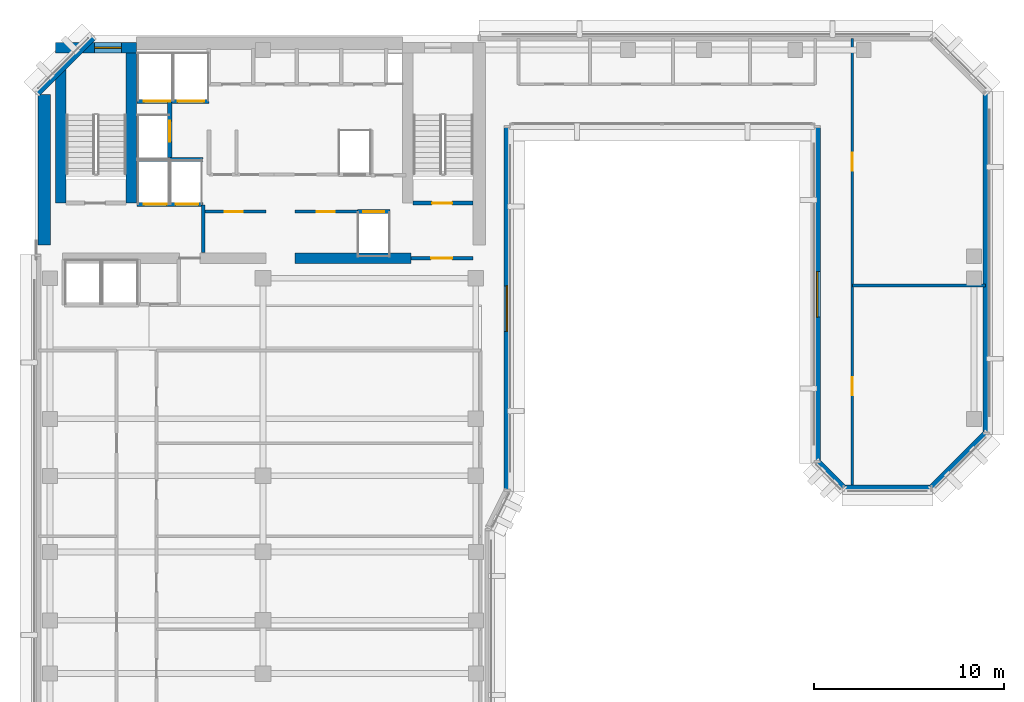
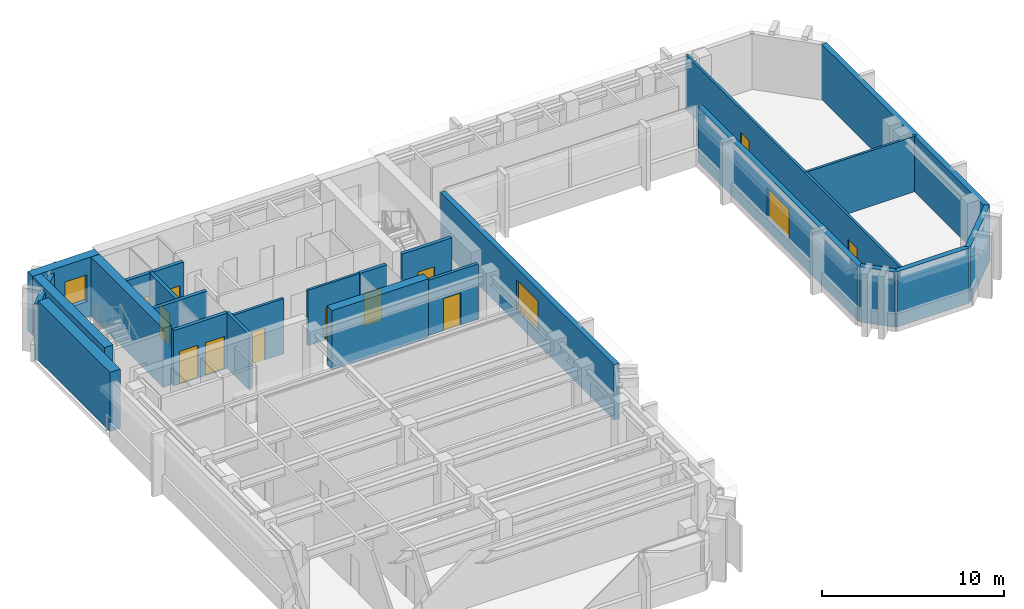
# One storey, part 6 of 12: 24 walls, 12 doors, 3 windows, 15 openings.
"""IFC4 building model written with IfcOpenShell, lengths in metres."""

from ifc_helpers import new_model, si_unit, direction, frame, frame_2d, origin, place, context, subcontext, project, spatial, rectangle, extrude, material, layer, layer_set, type_object, element, fill, save


model = new_model("IFC4")

# Units and contexts
model_context = context("Model", 3, precision=1e-05, world=origin(), true_north=direction((0.0, 1.0)))
body_context = subcontext(model_context, "Body", "Model", "MODEL_VIEW")
ifc_project = project(units=[si_unit("LENGTHUNIT", "METRE"), si_unit("AREAUNIT", "SQUARE_METRE"), si_unit("VOLUMEUNIT", "CUBIC_METRE"), si_unit("PLANEANGLEUNIT", "RADIAN"), si_unit("MASSUNIT", "GRAM", prefix="KILO")], contexts=[model_context])

# Site, building, storey
site_placement = place(None, origin())
site = spatial("IfcSite", under=ifc_project, at=site_placement, CompositionType="ELEMENT")
building_placement = place(site_placement, origin())
building = spatial("IfcBuilding", under=site, at=building_placement, Name="Kefirva Bronze Tower", CompositionType="ELEMENT")
storey_placement = place(building_placement, frame((0.0, 0.0, 235.6201171875)))
storey = spatial("IfcBuildingStorey", under=building, at=storey_placement, Name="L57", CompositionType="ELEMENT", Elevation=235.6201171875)

# Wall, opening, door
ifc_material_1 = material(Name="Gypsum acoustic partition")
ifc_layer_1 = layer(ifc_material_1, 0.14990234375, Name="Gypsum acoustic partition")
ifc_layer_set_1 = layer_set([ifc_layer_1], Name="Gypsum acoustic partition")
wall_type_1 = type_object("IfcWallType", Name="Executive Suite Partition 150mm", PredefinedType="PARTITIONING", material=ifc_layer_set_1)
wall_1_placement = place(storey_placement, frame((13.679931640625, 36.699951171875, 0.0), z_axis=(0.0, 0.0, 1.0), x_axis=(1.0, 0.0, 0.0)))
wall_1 = element("IfcWall", 1, at=wall_1_placement, inside=storey, type_object=wall_type_1, Name="L57 Partition W-L57-RECMP1", PredefinedType="PARTITIONING", context=body_context, shape_type="SweptSolid", body=[
    extrude(rectangle(XDim=3.280029296875, YDim=0.14990234375, at=frame_2d((1.64013671875, 0.0))), origin(), (0.0, 0.0, 1.0), 3.7099609375),
])
opening_1_placement = place(wall_1_placement, frame((1.14990234375, 0.0, 0.0)))
opening_1 = element("IfcOpeningElement", 2, at=opening_1_placement, cuts=wall_1, Name="Opening L57-D-RECMP1", PredefinedType="OPENING", context=body_context, shape_type="SweptSolid", body=[
    extrude(rectangle(XDim=0.949951171875, YDim=2.14990234375, at=frame_2d((0.47509765625, 1.074951171875))), frame((0.0, 0.0849609375, 0.0), z_axis=(0.0, -1.0, 0.0), x_axis=(1.0, 0.0, 0.0)), (0.0, 0.0, 1.0), 0.169921875),
])
ifc_material_2 = material(Name="Acoustic hardwood oak", Category="wood")
door_type_1 = type_object("IfcDoorType", Name="Office & Meeting Room Door 950x2150", OperationType="NOTDEFINED", PredefinedType="DOOR", material=ifc_material_2)
door_1_placement = place(opening_1_placement, origin())
door_1 = element("IfcDoor", 3, at=door_1_placement, inside=storey, type_object=door_type_1, Name="Door L57-D-RECMP1", OperationType="SINGLE_SWING_RIGHT", OverallHeight=2.14990234375, OverallWidth=0.949951171875, PredefinedType="DOOR", context=body_context, shape_type="SweptSolid", body=[
    extrude(rectangle(XDim=0.949951171875, YDim=2.14990234375, at=frame_2d((0.47509765625, 1.074951171875))), frame((0.0, 0.02490234375, 0.0), z_axis=(0.0, -1.0, 0.0), x_axis=(1.0, 0.0, 0.0)), (0.0, 0.0, 1.0), 0.050048828125),
])
fill(opening_1, door_1)

# Wall, openings, doors
wall_2_placement = place(storey_placement, frame((43.0, 22.18994140625, 0.0), z_axis=(0.0, 0.0, 1.0), x_axis=(0.0, 1.0, 0.0)))
wall_2 = element("IfcWall", 4, at=wall_2_placement, inside=storey, type_object=wall_type_1, Name="L57 Partition W-L57-PVEST", PredefinedType="PARTITIONING", context=body_context, shape_type="SweptSolid", body=[
    extrude(rectangle(XDim=23.6201171875, YDim=0.14990234375, at=frame_2d((11.81005859375, 0.0))), origin(), (0.0, 0.0, 1.0), 3.7099609375),
])
opening_2_placement = place(wall_2_placement, frame((4.839599609375, 0.0, 0.0)))
opening_2 = element("IfcOpeningElement", 5, at=opening_2_placement, cuts=wall_2, Name="Opening L57-D-EPV1", PredefinedType="OPENING", context=body_context, shape_type="SweptSolid", body=[
    extrude(rectangle(XDim=0.949951171875, YDim=2.14990234375, at=frame_2d((0.47509765625, 1.074951171875))), frame((0.0, 0.0849609375, 0.0), z_axis=(0.0, -1.0, 0.0), x_axis=(1.0, 0.0, 0.0)), (0.0, 0.0, 1.0), 0.169921875),
])
opening_3_placement = place(wall_2_placement, frame((16.6494140625, 0.0, 0.0)))
opening_3 = element("IfcOpeningElement", 6, at=opening_3_placement, cuts=wall_2, Name="Opening L57-D-EPV2", PredefinedType="OPENING", context=body_context, shape_type="SweptSolid", body=[
    extrude(rectangle(XDim=0.949951171875, YDim=2.14990234375, at=frame_2d((0.47509765625, 1.074951171875))), frame((0.0, 0.0849609375, 0.0), z_axis=(0.0, -1.0, 0.0), x_axis=(1.0, 0.0, 0.0)), (0.0, 0.0, 1.0), 0.169921875),
])
door_2_placement = place(opening_2_placement, origin())
door_2 = element("IfcDoor", 7, at=door_2_placement, inside=storey, type_object=door_type_1, Name="Door L57-D-EPV1", OperationType="SINGLE_SWING_LEFT", OverallHeight=2.14990234375, OverallWidth=0.949951171875, PredefinedType="DOOR", context=body_context, shape_type="SweptSolid", body=[
    extrude(rectangle(XDim=0.949951171875, YDim=2.14990234375, at=frame_2d((0.47509765625, 1.074951171875))), frame((0.0, 0.02490234375, 0.0), z_axis=(0.0, -1.0, 0.0), x_axis=(1.0, 0.0, 0.0)), (0.0, 0.0, 1.0), 0.050048828125),
])
fill(opening_2, door_2)
door_3_placement = place(opening_3_placement, origin())
door_3 = element("IfcDoor", 8, at=door_3_placement, inside=storey, type_object=door_type_1, Name="Door L57-D-EPV2", OperationType="SINGLE_SWING_RIGHT", OverallHeight=2.14990234375, OverallWidth=0.949951171875, PredefinedType="DOOR", context=body_context, shape_type="SweptSolid", body=[
    extrude(rectangle(XDim=0.949951171875, YDim=2.14990234375, at=frame_2d((0.47509765625, 1.074951171875))), frame((0.0, 0.02490234375, 0.0), z_axis=(0.0, -1.0, 0.0), x_axis=(1.0, 0.0, 0.0)), (0.0, 0.0, 1.0), 0.050048828125),
])
fill(opening_3, door_3)

# Wall
wall_3_placement = place(storey_placement, frame((43.0, 32.819091796875, 0.0), z_axis=(0.0, 0.0, 1.0), x_axis=(1.0, 0.0, 0.0)))
element("IfcWall", 9, at=wall_3_placement, inside=storey, type_object=wall_type_1, Name="L57 Partition W-L57-EPVD1", PredefinedType="PARTITIONING", context=body_context, shape_type="SweptSolid", body=[
    extrude(rectangle(XDim=7.010009765625, YDim=0.14990234375, at=frame_2d((3.5048828125, 0.0))), origin(), (0.0, 0.0, 1.0), 3.7099609375),
])

# Wall, opening, door
ifc_material_3 = material(Name="Gypsum fireboard shaftwall")
ifc_layer_2 = layer(ifc_material_3, 0.219970703125, Name="Gypsum fireboard shaftwall")
ifc_layer_set_2 = layer_set([ifc_layer_2], Name="Gypsum fireboard shaftwall")
wall_type_2 = type_object("IfcWallType", Name="Fire-Rated Shaft Enclosure Wall 220mm", PredefinedType="PARTITIONING", material=ifc_layer_set_2)
wall_4_placement = place(storey_placement, frame((19.89990234375, 37.14990234375, 0.0), z_axis=(0.0, 0.0, 1.0), x_axis=(1.0, 0.0, 0.0)))
wall_4 = element("IfcWall", 10, at=wall_4_placement, inside=storey, type_object=wall_type_2, Name="L57 Partition W-L57-ST2S", PredefinedType="PARTITIONING", context=body_context, shape_type="SweptSolid", body=[
    extrude(rectangle(XDim=3.150146484375, YDim=0.219970703125, at=frame_2d((1.5751953125, 0.0))), origin(), (0.0, 0.0, 1.0), 3.7099609375),
])
opening_4_placement = place(wall_4_placement, frame((2.050048828125, 0.0, 0.0), z_axis=(0.0, 0.0, 1.0), x_axis=(-1.0, 0.0, 0.0)))
opening_4 = element("IfcOpeningElement", 11, at=opening_4_placement, cuts=wall_4, Name="Opening L57-D003", PredefinedType="OPENING", context=body_context, shape_type="SweptSolid", body=[
    extrude(rectangle(XDim=1.050048828125, YDim=2.14990234375, at=frame_2d((0.52490234375, 1.074951171875))), frame((0.0, 0.1201171875, 0.0), z_axis=(0.0, -1.0, 0.0), x_axis=(1.0, 0.0, 0.0)), (0.0, 0.0, 1.0), 0.239990234375),
])
ifc_material_4 = material(Name="Painted galvanized steel", Category="steel")
door_type_2 = type_object("IfcDoorType", Name="Fire Stair Enclosure Door 1050x2150 FD90S", OperationType="NOTDEFINED", PredefinedType="DOOR", material=ifc_material_4)
door_4_placement = place(opening_4_placement, origin())
door_4 = element("IfcDoor", 12, at=door_4_placement, inside=storey, type_object=door_type_2, Name="Door L57-D003", OperationType="SINGLE_SWING_LEFT", OverallHeight=2.14990234375, OverallWidth=1.050048828125, PredefinedType="DOOR", context=body_context, shape_type="SweptSolid", body=[
    extrude(rectangle(XDim=1.050048828125, YDim=2.14990234375, at=frame_2d((0.52490234375, 1.074951171875))), frame((0.0, 0.02490234375, 0.0), z_axis=(0.0, -1.0, 0.0), x_axis=(1.0, 0.0, 0.0)), (0.0, 0.0, 1.0), 0.050048828125),
])
fill(opening_4, door_4)

# Wall, openings, doors
wall_5_placement = place(storey_placement, frame((5.3798828125, 37.080078125, 0.0), z_axis=(0.0, 0.0, 1.0), x_axis=(1.0, 0.0, 0.0)))
wall_5 = element("IfcWall", 13, at=wall_5_placement, inside=storey, type_object=wall_type_2, Name="L57 Partition W-L57-FFS", PredefinedType="PARTITIONING", context=body_context, shape_type="SweptSolid", body=[
    extrude(rectangle(XDim=3.460205078125, YDim=0.219970703125, at=frame_2d((1.72998046875, 0.0))), origin(), (0.0, 0.0, 1.0), 3.7099609375),
])
opening_5_placement = place(wall_5_placement, frame((1.550048828125, 0.0, 0.0), z_axis=(0.0, 0.0, 1.0), x_axis=(-1.0, 0.0, 0.0)))
opening_5 = element("IfcOpeningElement", 14, at=opening_5_placement, cuts=wall_5, Name="Opening L57-LD-FF1", PredefinedType="OPENING", context=body_context, shape_type="SweptSolid", body=[
    extrude(rectangle(XDim=1.199951171875, YDim=2.199951171875, at=frame_2d((0.60009765625, 1.10009765625))), frame((0.0, 0.1201171875, 0.0), z_axis=(0.0, -1.0, 0.0), x_axis=(1.0, 0.0, 0.0)), (0.0, 0.0, 1.0), 0.239990234375),
])
opening_6_placement = place(wall_5_placement, frame((3.219970703125, 0.0, 0.0), z_axis=(0.0, 0.0, 1.0), x_axis=(-1.0, 0.0, 0.0)))
opening_6 = element("IfcOpeningElement", 15, at=opening_6_placement, cuts=wall_5, Name="Opening L57-LD-FF2", PredefinedType="OPENING", context=body_context, shape_type="SweptSolid", body=[
    extrude(rectangle(XDim=1.199951171875, YDim=2.199951171875, at=frame_2d((0.60009765625, 1.10009765625))), frame((0.0, 0.1201171875, 0.0), z_axis=(0.0, -1.0, 0.0), x_axis=(1.0, 0.0, 0.0)), (0.0, 0.0, 1.0), 0.239990234375),
])
ifc_material_5 = material(Name="Stainless steel 316", Category="steel")
door_type_3 = type_object("IfcDoorType", Name="Firefighting Lift Sliding Door 1200x2200", OperationType="SLIDING_TO_RIGHT", PredefinedType="DOOR", material=ifc_material_5)
door_5_placement = place(opening_5_placement, origin())
door_5 = element("IfcDoor", 16, at=door_5_placement, inside=storey, type_object=door_type_3, Name="Door L57-LD-FF1", OperationType="SLIDING_TO_RIGHT", OverallHeight=2.199951171875, OverallWidth=1.199951171875, PredefinedType="DOOR", context=body_context, shape_type="SweptSolid", body=[
    extrude(rectangle(XDim=1.199951171875, YDim=2.199951171875, at=frame_2d((0.60009765625, 1.10009765625))), frame((0.0, 0.02490234375, 0.0), z_axis=(0.0, -1.0, 0.0), x_axis=(1.0, 0.0, 0.0)), (0.0, 0.0, 1.0), 0.050048828125),
])
fill(opening_5, door_5)
door_6_placement = place(opening_6_placement, origin())
door_6 = element("IfcDoor", 17, at=door_6_placement, inside=storey, type_object=door_type_3, Name="Door L57-LD-FF2", OperationType="SLIDING_TO_RIGHT", OverallHeight=2.199951171875, OverallWidth=1.199951171875, PredefinedType="DOOR", context=body_context, shape_type="SweptSolid", body=[
    extrude(rectangle(XDim=1.199951171875, YDim=2.199951171875, at=frame_2d((0.60009765625, 1.10009765625))), frame((0.0, 0.02490234375, 0.0), z_axis=(0.0, -1.0, 0.0), x_axis=(1.0, 0.0, 0.0)), (0.0, 0.0, 1.0), 0.050048828125),
])
fill(opening_6, door_6)

# Wall
wall_6_placement = place(storey_placement, frame((5.3798828125, 39.449951171875, 0.0), z_axis=(0.0, 0.0, 1.0), x_axis=(1.0, 0.0, 0.0)))
element("IfcWall", 18, at=wall_6_placement, inside=storey, type_object=wall_type_2, Name="L57 Partition W-L57-FFN", PredefinedType="PARTITIONING", context=body_context, shape_type="SweptSolid", body=[
    extrude(rectangle(XDim=3.460205078125, YDim=0.219970703125, at=frame_2d((1.72998046875, 0.0))), origin(), (0.0, 0.0, 1.0), 3.7099609375),
])

# Wall, openings, doors
wall_7_placement = place(storey_placement, frame((5.3798828125, 42.5, 0.0), z_axis=(0.0, 0.0, 1.0), x_axis=(1.0, 0.0, 0.0)))
wall_7 = element("IfcWall", 19, at=wall_7_placement, inside=storey, type_object=wall_type_2, Name="L57 Partition W-L57-SVS", PredefinedType="PARTITIONING", context=body_context, shape_type="SweptSolid", body=[
    extrude(rectangle(XDim=3.77001953125, YDim=0.219970703125, at=frame_2d((1.885009765625, 0.0))), origin(), (0.0, 0.0, 1.0), 3.7099609375),
])
opening_7_placement = place(wall_7_placement, frame((1.75, 0.0, 0.0), z_axis=(0.0, 0.0, 1.0), x_axis=(-1.0, 0.0, 0.0)))
opening_7 = element("IfcOpeningElement", 20, at=opening_7_placement, cuts=wall_7, Name="Opening L57-LD-SV1", PredefinedType="OPENING", context=body_context, shape_type="SweptSolid", body=[
    extrude(rectangle(XDim=1.39990234375, YDim=2.199951171875, at=frame_2d((0.699951171875, 1.10009765625))), frame((0.0, 0.1201171875, 0.0), z_axis=(0.0, -1.0, 0.0), x_axis=(1.0, 0.0, 0.0)), (0.0, 0.0, 1.0), 0.239990234375),
])
opening_8_placement = place(wall_7_placement, frame((3.52978515625, 0.0, 0.0), z_axis=(0.0, 0.0, 1.0), x_axis=(-1.0, 0.0, 0.0)))
opening_8 = element("IfcOpeningElement", 21, at=opening_8_placement, cuts=wall_7, Name="Opening L57-LD-SV2", PredefinedType="OPENING", context=body_context, shape_type="SweptSolid", body=[
    extrude(rectangle(XDim=1.39990234375, YDim=2.199951171875, at=frame_2d((0.699951171875, 1.10009765625))), frame((0.0, 0.1201171875, 0.0), z_axis=(0.0, -1.0, 0.0), x_axis=(1.0, 0.0, 0.0)), (0.0, 0.0, 1.0), 0.239990234375),
])
door_type_4 = type_object("IfcDoorType", Name="Goods Lift Bi-Parting Sliding Door 1400x2200", OperationType="SLIDING_TO_LEFT", PredefinedType="DOOR", material=ifc_material_5)
door_7_placement = place(opening_7_placement, origin())
door_7 = element("IfcDoor", 22, at=door_7_placement, inside=storey, type_object=door_type_4, Name="Door L57-LD-SV1", OperationType="SLIDING_TO_LEFT", OverallHeight=2.199951171875, OverallWidth=1.39990234375, PredefinedType="DOOR", context=body_context, shape_type="SweptSolid", body=[
    extrude(rectangle(XDim=1.39990234375, YDim=2.199951171875, at=frame_2d((0.699951171875, 1.10009765625))), frame((0.0, 0.02490234375, 0.0), z_axis=(0.0, -1.0, 0.0), x_axis=(1.0, 0.0, 0.0)), (0.0, 0.0, 1.0), 0.050048828125),
])
fill(opening_7, door_7)
door_8_placement = place(opening_8_placement, origin())
door_8 = element("IfcDoor", 23, at=door_8_placement, inside=storey, type_object=door_type_4, Name="Door L57-LD-SV2", OperationType="SLIDING_TO_LEFT", OverallHeight=2.199951171875, OverallWidth=1.39990234375, PredefinedType="DOOR", context=body_context, shape_type="SweptSolid", body=[
    extrude(rectangle(XDim=1.39990234375, YDim=2.199951171875, at=frame_2d((0.699951171875, 1.10009765625))), frame((0.0, 0.02490234375, 0.0), z_axis=(0.0, -1.0, 0.0), x_axis=(1.0, 0.0, 0.0)), (0.0, 0.0, 1.0), 0.050048828125),
])
fill(opening_8, door_8)

# Wall, opening, door
wall_8_placement = place(storey_placement, frame((7.10009765625, 39.52001953125, 0.0), z_axis=(0.0, 0.0, 1.0), x_axis=(0.0, 1.0, 0.0)))
wall_8 = element("IfcWall", 24, at=wall_8_placement, inside=storey, type_object=wall_type_2, Name="L57 Partition W-L57-HP3E", PredefinedType="PARTITIONING", context=body_context, shape_type="SweptSolid", body=[
    extrude(rectangle(XDim=2.929931640625, YDim=0.219970703125, at=frame_2d((1.46484375, 0.0))), origin(), (0.0, 0.0, 1.0), 3.7099609375),
])
opening_9_placement = place(wall_8_placement, frame((0.85009765625, 0.0, 0.0)))
opening_9 = element("IfcOpeningElement", 25, at=opening_9_placement, cuts=wall_8, Name="Opening L57-LD-HP3", PredefinedType="OPENING", context=body_context, shape_type="SweptSolid", body=[
    extrude(rectangle(XDim=1.10009765625, YDim=2.199951171875, at=frame_2d((0.550048828125, 1.10009765625))), frame((0.0, 0.1201171875, 0.0), z_axis=(0.0, -1.0, 0.0), x_axis=(1.0, 0.0, 0.0)), (0.0, 0.0, 1.0), 0.239990234375),
])
door_type_5 = type_object("IfcDoorType", Name="Passenger Lift Sliding Landing Door 1100x2200", OperationType="SLIDING_TO_LEFT", PredefinedType="DOOR", material=ifc_material_5)
door_9_placement = place(opening_9_placement, origin())
door_9 = element("IfcDoor", 26, at=door_9_placement, inside=storey, type_object=door_type_5, Name="Door L57-LD-HP3", OperationType="SLIDING_TO_LEFT", OverallHeight=2.199951171875, OverallWidth=1.10009765625, PredefinedType="DOOR", context=body_context, shape_type="SweptSolid", body=[
    extrude(rectangle(XDim=1.10009765625, YDim=2.199951171875, at=frame_2d((0.550048828125, 1.10009765625))), frame((0.0, 0.02490234375, 0.0), z_axis=(0.0, -1.0, 0.0), x_axis=(1.0, 0.0, 0.0)), (0.0, 0.0, 1.0), 0.050048828125),
])
fill(opening_9, door_9)

wall_9_placement = place(storey_placement, frame((16.97998046875, 36.699951171875, 0.0), z_axis=(0.0, 0.0, 1.0), x_axis=(1.0, 0.0, 0.0)))
wall_9 = element("IfcWall", 27, at=wall_9_placement, inside=storey, type_object=wall_type_2, Name="L57 Partition W-L57-HPS", PredefinedType="PARTITIONING", context=body_context, shape_type="SweptSolid", body=[
    extrude(rectangle(XDim=1.699951171875, YDim=0.219970703125, at=frame_2d((0.85009765625, 0.0))), origin(), (0.0, 0.0, 1.0), 3.7099609375),
])
opening_10_placement = place(wall_9_placement, frame((0.300048828125, 0.0, 0.0)))
opening_10 = element("IfcOpeningElement", 28, at=opening_10_placement, cuts=wall_9, Name="Opening L57-LD-HP1", PredefinedType="OPENING", context=body_context, shape_type="SweptSolid", body=[
    extrude(rectangle(XDim=1.10009765625, YDim=2.199951171875, at=frame_2d((0.550048828125, 1.10009765625))), frame((0.0, 0.1201171875, 0.0), z_axis=(0.0, -1.0, 0.0), x_axis=(1.0, 0.0, 0.0)), (0.0, 0.0, 1.0), 0.239990234375),
])
door_10_placement = place(opening_10_placement, origin())
door_10 = element("IfcDoor", 29, at=door_10_placement, inside=storey, type_object=door_type_5, Name="Door L57-LD-HP1", OperationType="SLIDING_TO_LEFT", OverallHeight=2.199951171875, OverallWidth=1.10009765625, PredefinedType="DOOR", context=body_context, shape_type="SweptSolid", body=[
    extrude(rectangle(XDim=1.10009765625, YDim=2.199951171875, at=frame_2d((0.550048828125, 1.10009765625))), frame((0.0, 0.02490234375, 0.0), z_axis=(0.0, -1.0, 0.0), x_axis=(1.0, 0.0, 0.0)), (0.0, 0.0, 1.0), 0.050048828125),
])
fill(opening_10, door_10)

# Wall
ifc_material_6 = material(Name="Gypsum fireboard barrier")
ifc_layer_3 = layer(ifc_material_6, 0.199951171875, Name="Gypsum fireboard barrier")
ifc_layer_set_3 = layer_set([ifc_layer_3], Name="Gypsum fireboard barrier")
wall_type_3 = type_object("IfcWallType", Name="Firefighting Lobby Barrier Wall 200mm", PredefinedType="PARTITIONING", material=ifc_layer_set_3)
wall_10_placement = place(storey_placement, frame((8.860107421875, 34.550048828125, 0.0), z_axis=(0.0, 0.0, 1.0), x_axis=(0.0, 1.0, 0.0)))
element("IfcWall", 30, at=wall_10_placement, inside=storey, type_object=wall_type_3, Name="L57 Partition W-L57-FFLE", PredefinedType="PARTITIONING", context=body_context, shape_type="SweptSolid", body=[
    extrude(rectangle(XDim=2.5, YDim=0.199951171875, at=frame_2d((1.25, 0.0))), origin(), (0.0, 0.0, 1.0), 3.7099609375),
])

# Wall, opening, door
wall_11_placement = place(storey_placement, frame((19.800048828125, 34.25, 0.0), z_axis=(0.0, 0.0, 1.0), x_axis=(1.0, 0.0, 0.0)))
wall_11 = element("IfcWall", 31, at=wall_11_placement, inside=storey, type_object=wall_type_3, Name="L57 Partition W-L57-ST2F", PredefinedType="PARTITIONING", context=body_context, shape_type="SweptSolid", body=[
    extrude(rectangle(XDim=3.25, YDim=0.199951171875, at=frame_2d((1.625, 0.0))), origin(), (0.0, 0.0, 1.0), 3.7099609375),
])
opening_11_placement = place(wall_11_placement, frame((2.150146484375, 0.0, 0.0), z_axis=(0.0, 0.0, 1.0), x_axis=(-1.0, 0.0, 0.0)))
opening_11 = element("IfcOpeningElement", 32, at=opening_11_placement, cuts=wall_11, Name="Opening L57-D004", PredefinedType="OPENING", context=body_context, shape_type="SweptSolid", body=[
    extrude(rectangle(XDim=1.10009765625, YDim=2.14990234375, at=frame_2d((0.550048828125, 1.074951171875))), frame((0.0, 0.10986328125, 0.0), z_axis=(0.0, -1.0, 0.0), x_axis=(1.0, 0.0, 0.0)), (0.0, 0.0, 1.0), 0.219970703125),
])
door_type_6 = type_object("IfcDoorType", Name="Firefighting Lobby Smoke Door 1100x2150 FD60S", OperationType="NOTDEFINED", PredefinedType="DOOR", material=ifc_material_4)
door_11_placement = place(opening_11_placement, origin())
door_11 = element("IfcDoor", 33, at=door_11_placement, inside=storey, type_object=door_type_6, Name="Door L57-D004", OperationType="SINGLE_SWING_RIGHT", OverallHeight=2.14990234375, OverallWidth=1.10009765625, PredefinedType="DOOR", context=body_context, shape_type="SweptSolid", body=[
    extrude(rectangle(XDim=1.10009765625, YDim=2.14990234375, at=frame_2d((0.550048828125, 1.074951171875))), frame((0.0, 0.02490234375, 0.0), z_axis=(0.0, -1.0, 0.0), x_axis=(1.0, 0.0, 0.0)), (0.0, 0.0, 1.0), 0.050048828125),
])
fill(opening_11, door_11)

# Wall, opening, window
ifc_material_7 = material(Name="Precast concrete C40/50", Category="concrete")
ifc_layer_4 = layer(ifc_material_7, 0.320068359375, Name="Precast concrete C40/50")
ifc_layer_set_4 = layer_set([ifc_layer_4], Name="Precast concrete C40/50")
wall_type_4 = type_object("IfcWallType", Name="Precast Insulated Exterior Wall 320mm", PredefinedType="SOLIDWALL", material=ifc_layer_set_4)
wall_12_placement = place(storey_placement, frame((24.840087890625, 22.054931640625, 0.0), z_axis=(0.0, 0.0, 1.0), x_axis=(0.0, 1.0, 0.0)))
wall_12 = element("IfcWall", 34, at=wall_12_placement, inside=storey, type_object=wall_type_4, Name="L57 Exterior Facade Wall 4", PredefinedType="SOLIDWALL", context=body_context, shape_type="SweptSolid", body=[
    extrude(rectangle(XDim=19.090087890625, YDim=0.320068359375, at=frame_2d((9.544921875, 0.0))), origin(), (0.0, 0.0, 1.0), 3.7099609375),
])
opening_12_placement = place(wall_12_placement, frame((8.344970703125, 0.0, 0.85009765625)))
opening_12 = element("IfcOpeningElement", 35, at=opening_12_placement, cuts=wall_12, Name="Opening WN-01", PredefinedType="OPENING", context=body_context, shape_type="SweptSolid", body=[
    extrude(rectangle(XDim=2.39990234375, YDim=2.050048828125, at=frame_2d((1.199951171875, 1.02490234375))), frame((0.0, 0.169921875, 0.0), z_axis=(0.0, -1.0, 0.0), x_axis=(1.0, 0.0, 0.0)), (0.0, 0.0, 1.0), 0.340087890625),
])
ifc_material_8 = material(Name="Laminated low-E double glazing", Category="glass")
window_type_1 = type_object("IfcWindowType", Name="Streamline Ribbon Window 2400x2050", PartitioningType="SINGLE_PANEL", PredefinedType="WINDOW", material=ifc_material_8)
window_1_placement = place(opening_12_placement, origin())
window_1 = element("IfcWindow", 36, at=window_1_placement, inside=storey, type_object=window_type_1, Name="L57 Ribbon Window 4", OverallHeight=2.050048828125, OverallWidth=2.39990234375, PartitioningType="SINGLE_PANEL", PredefinedType="WINDOW", context=body_context, shape_type="SweptSolid", body=[
    extrude(rectangle(XDim=2.39990234375, YDim=2.050048828125, at=frame_2d((1.199951171875, 1.02490234375))), frame((0.0, 0.030029296875, 0.0), z_axis=(0.0, -1.0, 0.0), x_axis=(1.0, 0.0, 0.0)), (0.0, 0.0, 1.0), 0.06005859375),
])
fill(opening_12, window_1)

wall_13_placement = place(storey_placement, frame((41.159912109375, 41.14501953125, 0.0), z_axis=(0.0, 0.0, 1.0), x_axis=(0.0, -1.0, 0.0)))
wall_13 = element("IfcWall", 37, at=wall_13_placement, inside=storey, type_object=wall_type_4, Name="L57 Exterior Facade Wall 5", PredefinedType="SOLIDWALL", context=body_context, shape_type="SweptSolid", body=[
    extrude(rectangle(XDim=17.590087890625, YDim=0.320068359375, at=frame_2d((8.794921875, 0.0))), origin(), (0.0, 0.0, 1.0), 3.7099609375),
])
opening_13_placement = place(wall_13_placement, frame((7.594970703125, 0.0, 0.85009765625)))
opening_13 = element("IfcOpeningElement", 38, at=opening_13_placement, cuts=wall_13, Name="Opening WN-01", PredefinedType="OPENING", context=body_context, shape_type="SweptSolid", body=[
    extrude(rectangle(XDim=2.39990234375, YDim=2.050048828125, at=frame_2d((1.199951171875, 1.02490234375))), frame((0.0, 0.169921875, 0.0), z_axis=(0.0, -1.0, 0.0), x_axis=(1.0, 0.0, 0.0)), (0.0, 0.0, 1.0), 0.340087890625),
])
window_2_placement = place(opening_13_placement, origin())
window_2 = element("IfcWindow", 39, at=window_2_placement, inside=storey, type_object=window_type_1, Name="L57 Ribbon Window 5", OverallHeight=2.050048828125, OverallWidth=2.39990234375, PartitioningType="SINGLE_PANEL", PredefinedType="WINDOW", context=body_context, shape_type="SweptSolid", body=[
    extrude(rectangle(XDim=2.39990234375, YDim=2.050048828125, at=frame_2d((1.199951171875, 1.02490234375))), frame((0.0, 0.030029296875, 0.0), z_axis=(0.0, -1.0, 0.0), x_axis=(1.0, 0.0, 0.0)), (0.0, 0.0, 1.0), 0.06005859375),
])
fill(opening_13, window_2)

# Walls
wall_14_placement = place(storey_placement, frame((41.152099609375, 23.57421875, 0.0), z_axis=(0.0, 0.0, 1.0), x_axis=(0.707106781187, -0.707106781187, 0.0)))
element("IfcWall", 40, at=wall_14_placement, inside=storey, type_object=wall_type_4, Name="L57 Exterior Facade Wall 6", PredefinedType="SOLIDWALL", context=body_context, shape_type="SweptSolid", body=[
    extrude(rectangle(XDim=2.01123046875, YDim=0.320068359375, at=frame_2d((1.005615234375, 0.0))), origin(), (0.0, 0.0, 1.0), 3.7099609375),
])
wall_15_placement = place(storey_placement, frame((42.554931640625, 22.159912109375, 0.0), z_axis=(0.0, 0.0, 1.0), x_axis=(1.0, 0.0, 0.0)))
element("IfcWall", 41, at=wall_15_placement, inside=storey, type_object=wall_type_4, Name="L57 Exterior Facade Wall 7", PredefinedType="SOLIDWALL", context=body_context, shape_type="SweptSolid", body=[
    extrude(rectangle(XDim=4.590087890625, YDim=0.320068359375, at=frame_2d((2.294921875, 0.0))), origin(), (0.0, 0.0, 1.0), 3.7099609375),
])
wall_16_placement = place(storey_placement, frame((47.125732421875, 22.152099609375, 0.0), z_axis=(0.0, 0.0, 1.0), x_axis=(0.707136318428, 0.707077242712, 0.0)))
element("IfcWall", 42, at=wall_16_placement, inside=storey, type_object=wall_type_4, Name="L57 Exterior Facade Wall 8", PredefinedType="SOLIDWALL", context=body_context, shape_type="SweptSolid", body=[
    extrude(rectangle(XDim=4.132568359375, YDim=0.320068359375, at=frame_2d((2.06640625, 0.0))), origin(), (0.0, 0.0, 1.0), 3.7099609375),
])
wall_17_placement = place(storey_placement, frame((50.0400390625, 25.054931640625, 0.0), z_axis=(0.0, 0.0, 1.0), x_axis=(0.0, 1.0, 0.0)))
element("IfcWall", 43, at=wall_17_placement, inside=storey, type_object=wall_type_4, Name="L57 Exterior Facade Wall 9", PredefinedType="SOLIDWALL", context=body_context, shape_type="SweptSolid", body=[
    extrude(rectangle(XDim=17.89013671875, YDim=0.320068359375, at=frame_2d((8.945068359375, 0.0))), origin(), (0.0, 0.0, 1.0), 3.7099609375),
])
wall_18_placement = place(storey_placement, frame((3.07421875, 45.847900390625, 0.0), z_axis=(0.0, 0.0, 1.0), x_axis=(-0.707106781187, -0.707106781187, 0.0)))
element("IfcWall", 44, at=wall_18_placement, inside=storey, type_object=wall_type_4, Name="L57 Exterior Facade Wall 12", PredefinedType="SOLIDWALL", context=body_context, shape_type="SweptSolid", body=[
    extrude(rectangle(XDim=4.132568359375, YDim=0.320068359375, at=frame_2d((2.06640625, 0.0))), origin(), (0.0, 0.0, 1.0), 3.7099609375),
])

# Wall, opening, door
ifc_layer_5 = layer(ifc_material_1, 0.159912109375, Name="Gypsum acoustic partition")
ifc_layer_set_5 = layer_set([ifc_layer_5], Name="Gypsum acoustic partition")
wall_type_5 = type_object("IfcWallType", Name="Protected Corridor Partition 160mm", PredefinedType="PARTITIONING", material=ifc_layer_set_5)
wall_19_placement = place(storey_placement, frame((8.89990234375, 36.699951171875, 0.0), z_axis=(0.0, 0.0, 1.0), x_axis=(1.0, 0.0, 0.0)))
wall_19 = element("IfcWall", 45, at=wall_19_placement, inside=storey, type_object=wall_type_5, Name="L57 Partition W-L57-RECLP1", PredefinedType="PARTITIONING", context=body_context, shape_type="SweptSolid", body=[
    extrude(rectangle(XDim=3.25, YDim=0.159912109375, at=frame_2d((1.625, 0.0))), origin(), (0.0, 0.0, 1.0), 3.7099609375),
])
opening_14_placement = place(wall_19_placement, frame((1.10009765625, 0.0, 0.0)))
opening_14 = element("IfcOpeningElement", 46, at=opening_14_placement, cuts=wall_19, Name="Opening L57-D-RECLP1", PredefinedType="OPENING", context=body_context, shape_type="SweptSolid", body=[
    extrude(rectangle(XDim=0.949951171875, YDim=2.14990234375, at=frame_2d((0.47509765625, 1.074951171875))), frame((0.0, 0.08984375, 0.0), z_axis=(0.0, -1.0, 0.0), x_axis=(1.0, 0.0, 0.0)), (0.0, 0.0, 1.0), 0.179931640625),
])
door_12_placement = place(opening_14_placement, origin())
door_12 = element("IfcDoor", 47, at=door_12_placement, inside=storey, type_object=door_type_1, Name="Door L57-D-RECLP1", OperationType="SINGLE_SWING_LEFT", OverallHeight=2.14990234375, OverallWidth=0.949951171875, PredefinedType="DOOR", context=body_context, shape_type="SweptSolid", body=[
    extrude(rectangle(XDim=0.949951171875, YDim=2.14990234375, at=frame_2d((0.47509765625, 1.074951171875))), frame((0.0, 0.02490234375, 0.0), z_axis=(0.0, -1.0, 0.0), x_axis=(1.0, 0.0, 0.0)), (0.0, 0.0, 1.0), 0.050048828125),
])
fill(opening_14, door_12)

# Wall, opening, window
ifc_material_9 = material(Name="Concrete C50/60", Category="concrete")
ifc_layer_6 = layer(ifc_material_9, 0.550048828125, Name="Concrete C50/60")
ifc_layer_set_6 = layer_set([ifc_layer_6], Name="Concrete C50/60")
wall_type_6 = type_object("IfcWallType", Name="RC Rear Core Exterior Wall 550mm", PredefinedType="SHEAR", material=ifc_layer_set_6)
wall_20_placement = place(storey_placement, frame((1.10009765625, 45.320068359375, 0.0), z_axis=(0.0, 0.0, 1.0), x_axis=(1.0, 0.0, 0.0)))
wall_20 = element("IfcWall", 48, at=wall_20_placement, inside=storey, type_object=wall_type_6, Name="L57 Stair 1 North Shear Wall", PredefinedType="SHEAR", context=body_context, shape_type="SweptSolid", body=[
    extrude(rectangle(XDim=4.239990234375, YDim=0.550048828125, at=frame_2d((2.1201171875, 0.0))), origin(), (0.0, 0.0, 1.0), 3.9599609375),
])
opening_15_placement = place(wall_20_placement, frame((2.050048828125, 0.0, 1.050048828125)))
opening_15 = element("IfcOpeningElement", 49, at=opening_15_placement, cuts=wall_20, Name="Opening WN-03", PredefinedType="OPENING", context=body_context, shape_type="SweptSolid", body=[
    extrude(rectangle(XDim=1.39990234375, YDim=1.800048828125, at=frame_2d((0.699951171875, 0.89990234375))), frame((0.0, 0.28515625, 0.0), z_axis=(0.0, -1.0, 0.0), x_axis=(1.0, 0.0, 0.0)), (0.0, 0.0, 1.0), 0.570068359375),
])
window_type_2 = type_object("IfcWindowType", Name="Rear-Core Stair Daylight Window 1400x1800", PartitioningType="SINGLE_PANEL", PredefinedType="WINDOW", material=ifc_material_8)
window_3_placement = place(opening_15_placement, origin())
window_3 = element("IfcWindow", 50, at=window_3_placement, inside=storey, type_object=window_type_2, Name="L57 Stair 1 Daylight Window", OverallHeight=1.800048828125, OverallWidth=1.39990234375, PartitioningType="SINGLE_PANEL", PredefinedType="WINDOW", context=body_context, shape_type="SweptSolid", body=[
    extrude(rectangle(XDim=1.39990234375, YDim=1.800048828125, at=frame_2d((0.699951171875, 0.89990234375))), frame((0.0, 0.030029296875, 0.0), z_axis=(0.0, -1.0, 0.0), x_axis=(1.0, 0.0, 0.0)), (0.0, 0.0, 1.0), 0.06005859375),
])
fill(opening_15, window_3)

# Walls
ifc_layer_7 = layer(ifc_material_9, 0.64990234375, Name="Concrete C50/60")
ifc_layer_set_7 = layer_set([ifc_layer_7], Name="Concrete C50/60")
wall_type_7 = type_object("IfcWallType", Name="RC Rear Core Exterior Wall 650mm", PredefinedType="SHEAR", material=ifc_layer_set_7)
wall_21_placement = place(storey_placement, frame((0.5, 34.949951171875, 0.0), z_axis=(0.0, 0.0, 1.0), x_axis=(0.0, 1.0, 0.0)))
element("IfcWall", 51, at=wall_21_placement, inside=storey, type_object=wall_type_7, Name="L57 Rear Core West Shear Wall", PredefinedType="SHEAR", context=body_context, shape_type="SweptSolid", body=[
    extrude(rectangle(XDim=7.900146484375, YDim=0.64990234375, at=frame_2d((3.9501953125, 0.0))), origin(), (0.0, 0.0, 1.0), 3.9599609375),
])
ifc_layer_8 = layer(ifc_material_9, 0.550048828125, Name="Concrete C50/60")
ifc_layer_set_8 = layer_set([ifc_layer_8], Name="Concrete C50/60")
wall_type_8 = type_object("IfcWallType", Name="RC Rear Core Interior Wall 550mm", PredefinedType="SHEAR", material=ifc_layer_set_8)
for number, where, z_axis, x_axis, name in (
    (52, (1.3701171875, 37.14990234375, 0.0), (0.0, 0.0, 1.0), (0.0, 1.0, 0.0), "L57 Stair 1 West Shear Wall"),
    (53, (5.070068359375, 37.14990234375, 0.0), (0.0, 0.0, 1.0), (0.0, 1.0, 0.0), "L57 Stair 1 East Shear Wall"),
):
    element("IfcWall", number, at=place(storey_placement, frame(where, z_axis=z_axis, x_axis=x_axis)), inside=storey, type_object=wall_type_8, Name=name, PredefinedType="SHEAR", context=body_context, shape_type="SweptSolid", body=[
        extrude(rectangle(XDim=7.89013671875, YDim=0.550048828125, at=frame_2d((3.945068359375, 0.0))), origin(), (0.0, 0.0, 1.0), 3.9599609375),
    ])
ifc_layer_9 = layer(ifc_material_9, 0.64990234375, Name="Concrete C50/60")
ifc_layer_set_9 = layer_set([ifc_layer_9], Name="Concrete C50/60")
wall_type_9 = type_object("IfcWallType", Name="RC Rear Core Interior Wall 650mm", PredefinedType="SHEAR", material=ifc_layer_set_9)
wall_22_placement = place(storey_placement, frame((13.679931640625, 34.25, 0.0), z_axis=(0.0, 0.0, 1.0), x_axis=(1.0, 0.0, 0.0)))
element("IfcWall", 54, at=wall_22_placement, inside=storey, type_object=wall_type_9, Name="L57 Rear Core South-East Shear Wall", PredefinedType="SHEAR", context=body_context, shape_type="SweptSolid", body=[
    extrude(rectangle(XDim=6.1201171875, YDim=0.550048828125, at=frame_2d((3.06005859375, 0.0))), origin(), (0.0, 0.0, 1.0), 3.9599609375),
])

save(model, "model.ifc")
